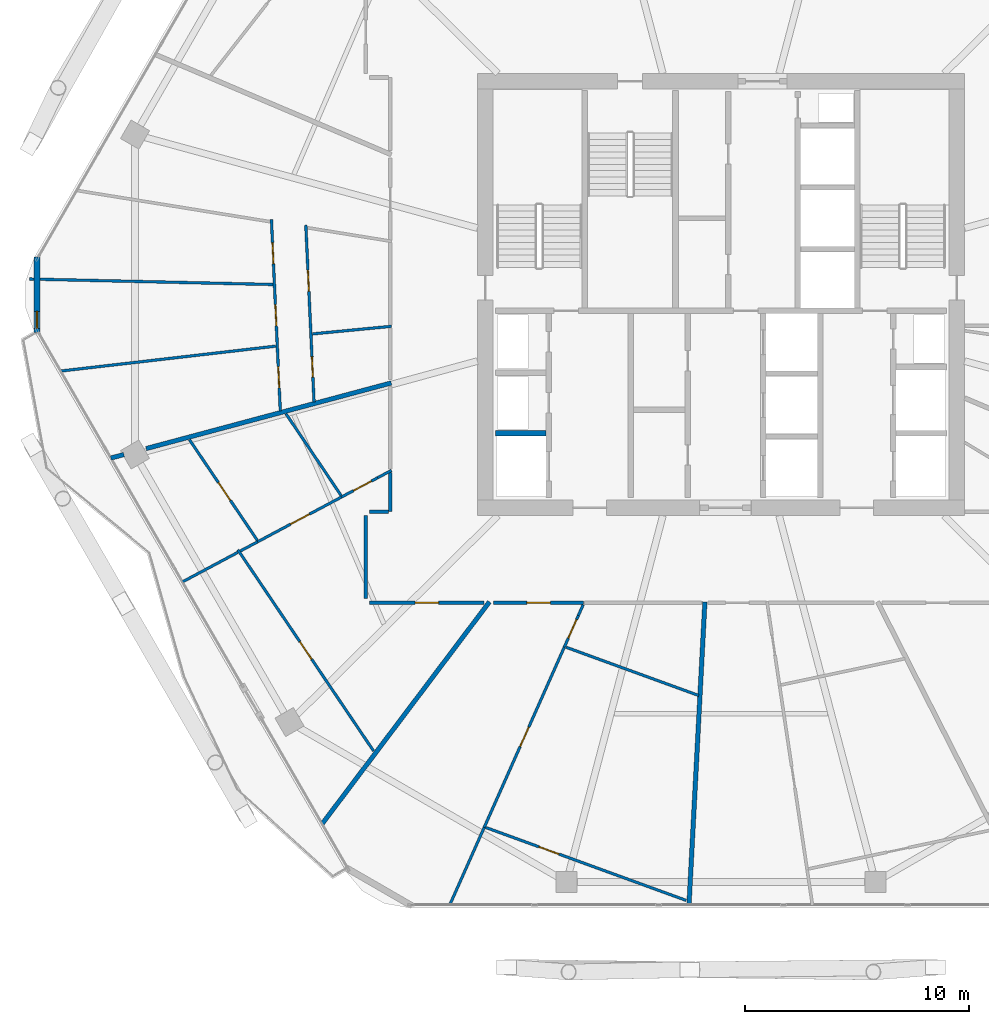
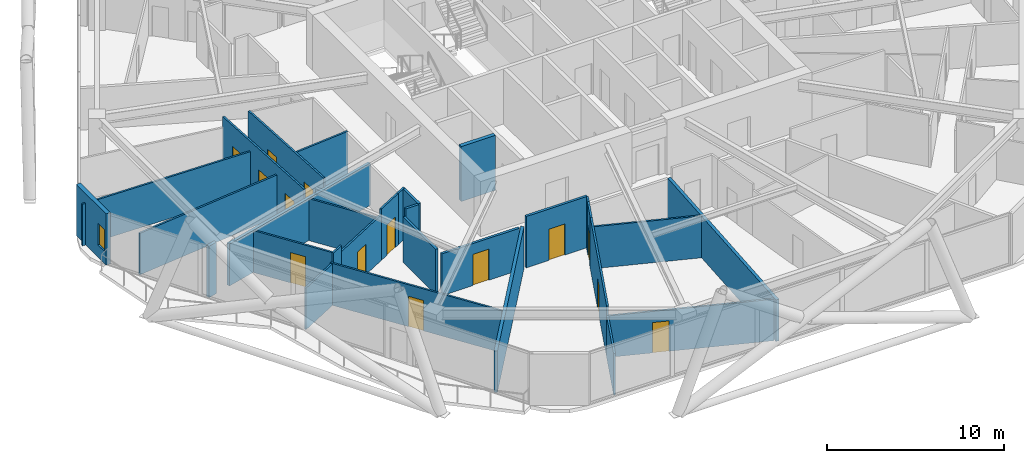
# One storey, part 21 of 29: 30 walls, 14 doors, 1 window, 15 openings.
"""IFC4 building model written with IfcOpenShell, lengths in metres."""

from ifc_helpers import new_model, si_unit, direction, frame, frame_2d, origin, place, context, subcontext, project, spatial, rectangle, extrude, material, layer, layer_set, type_object, element, fill, save


model = new_model("IFC4")

# Units and contexts
model_context = context("Model", 3, precision=1e-05, world=origin(), true_north=direction((0.0, 1.0)))
body_context = subcontext(model_context, "Body", "Model", "MODEL_VIEW")
ifc_project = project(units=[si_unit("LENGTHUNIT", "METRE"), si_unit("AREAUNIT", "SQUARE_METRE"), si_unit("VOLUMEUNIT", "CUBIC_METRE"), si_unit("PLANEANGLEUNIT", "RADIAN"), si_unit("MASSUNIT", "GRAM", prefix="KILO")], contexts=[model_context])

# Site, building, storey
site_placement = place(None, origin())
site = spatial("IfcSite", under=ifc_project, at=site_placement, CompositionType="ELEMENT")
building_placement = place(site_placement, origin())
building = spatial("IfcBuilding", under=site, at=building_placement, Name="Zuhravey Tower", CompositionType="ELEMENT")
storey_placement = place(building_placement, frame((0.0, 0.0, 192.199951171875)))
storey = spatial("IfcBuildingStorey", under=building, at=storey_placement, Name="L48", CompositionType="ELEMENT", Elevation=192.199951171875)

# Wall, opening, door
ifc_material_1 = material(Name="Gypsum fire-rated stud partition")
ifc_layer_1 = layer(ifc_material_1, 0.159912109375)
ifc_layer_set_1 = layer_set([ifc_layer_1], Name="Gypsum fire-rated stud partition")
wall_type_1 = type_object("IfcWallType", Name="Corridor Fire Partition 160", PredefinedType="PARTITIONING", material=ifc_layer_set_1)
wall_1_placement = place(storey_placement, frame((20.35009765625, 18.27001953125, 0.0), z_axis=(0.0, 0.0, 1.0), x_axis=(1.0, 0.0, 0.0)))
wall_1 = element("IfcWall", 1, at=wall_1_placement, inside=storey, type_object=wall_type_1, Name="L48 IW16 Partition 042", PredefinedType="PARTITIONING", context=body_context, shape_type="SweptSolid", body=[
    extrude(rectangle(XDim=5.08935546875, YDim=0.159912109375, at=frame_2d((2.544677734375, 0.0))), origin(), (0.0, 0.0, 1.0), 2.900146484375),
])
opening_1_placement = place(wall_1_placement, frame((2.019775390625, 0.0, 0.0)))
opening_1 = element("IfcOpeningElement", 2, at=opening_1_placement, cuts=wall_1, Name="Opening APD1", PredefinedType="OPENING", context=body_context, shape_type="SweptSolid", body=[
    extrude(rectangle(XDim=1.050048828125, YDim=2.14990234375, at=frame_2d((0.52490234375, 1.074951171875))), frame((0.0, 0.092041015625, 0.0), z_axis=(0.0, -1.0, 0.0), x_axis=(1.0, 0.0, 0.0)), (0.0, 0.0, 1.0), 0.183837890625),
])
ifc_material_2 = material(Name="Solid-core oak fire-rated leaf")
door_type_1 = type_object("IfcDoorType", Name="Apartment Entrance Fire Door 1050x2150", OperationType="NOTDEFINED", PredefinedType="DOOR", material=ifc_material_2)
door_1_placement = place(opening_1_placement, frame((1.050048828125, 0.0, 0.0), z_axis=(0.0, 0.0, 1.0), x_axis=(-1.0, 0.0, 0.0)))
door_1 = element("IfcDoor", 3, at=door_1_placement, inside=storey, type_object=door_type_1, Name="L48 Door 042.1", OperationType="SINGLE_SWING_LEFT", OverallHeight=2.14990234375, OverallWidth=1.050048828125, PredefinedType="DOOR", context=body_context, shape_type="SweptSolid", body=[
    extrude(rectangle(XDim=1.050048828125, YDim=2.14990234375, at=frame_2d((0.52490234375, 1.074951171875))), frame((0.0, 0.02490234375, 0.0), z_axis=(0.0, -1.0, 0.0), x_axis=(1.0, 0.0, 0.0)), (0.0, 0.0, 1.0), 0.050048828125),
])
fill(opening_1, door_1)

wall_2_placement = place(storey_placement, frame((25.865234375, 18.27001953125, 0.0), z_axis=(0.0, 0.0, 1.0), x_axis=(1.0, 0.0, 0.0)))
wall_2 = element("IfcWall", 4, at=wall_2_placement, inside=storey, type_object=wall_type_1, Name="L48 IW16 Partition 046", PredefinedType="PARTITIONING", context=body_context, shape_type="SweptSolid", body=[
    extrude(rectangle(XDim=4.011474609375, YDim=0.159912109375, at=frame_2d((2.005859375, 0.0))), origin(), (0.0, 0.0, 1.0), 3.550048828125),
])
opening_2_placement = place(wall_2_placement, frame((1.480712890625, 0.0, 0.0)))
opening_2 = element("IfcOpeningElement", 5, at=opening_2_placement, cuts=wall_2, Name="Opening APD1", PredefinedType="OPENING", context=body_context, shape_type="SweptSolid", body=[
    extrude(rectangle(XDim=1.050048828125, YDim=2.14990234375, at=frame_2d((0.52490234375, 1.074951171875))), frame((0.0, 0.092041015625, 0.0), z_axis=(0.0, -1.0, 0.0), x_axis=(1.0, 0.0, 0.0)), (0.0, 0.0, 1.0), 0.183837890625),
])
door_2_placement = place(opening_2_placement, frame((1.050048828125, 0.0, 0.0), z_axis=(0.0, 0.0, 1.0), x_axis=(-1.0, 0.0, 0.0)))
door_2 = element("IfcDoor", 6, at=door_2_placement, inside=storey, type_object=door_type_1, Name="L48 Door 046.1", OperationType="SINGLE_SWING_LEFT", OverallHeight=2.14990234375, OverallWidth=1.050048828125, PredefinedType="DOOR", context=body_context, shape_type="SweptSolid", body=[
    extrude(rectangle(XDim=1.050048828125, YDim=2.14990234375, at=frame_2d((0.52490234375, 1.074951171875))), frame((0.0, 0.02490234375, 0.0), z_axis=(0.0, -1.0, 0.0), x_axis=(1.0, 0.0, 0.0)), (0.0, 0.0, 1.0), 0.050048828125),
])
fill(opening_2, door_2)

# Walls
wall_3_placement = place(storey_placement, frame((20.169921875, 22.14990234375, 0.0), z_axis=(0.0, 0.0, 1.0), x_axis=(0.0, -1.0, 0.0)))
element("IfcWall", 7, at=wall_3_placement, inside=storey, type_object=wall_type_1, Name="L48 IW16 Partition 138", PredefinedType="PARTITIONING", context=body_context, shape_type="SweptSolid", body=[
    extrude(rectangle(XDim=3.699951171875, YDim=0.159912109375, at=frame_2d((1.85009765625, 0.0))), origin(), (0.0, 0.0, 1.0), 3.150146484375),
])
wall_4_placement = place(storey_placement, frame((21.27001953125, 24.064453125, 0.0), z_axis=(0.0, 0.0, 1.0), x_axis=(0.0, -1.0, 0.0)))
element("IfcWall", 8, at=wall_4_placement, inside=storey, type_object=wall_type_1, Name="L48 IW16 Partition 139", PredefinedType="PARTITIONING", context=body_context, shape_type="SweptSolid", body=[
    extrude(rectangle(XDim=1.734375, YDim=0.159912109375, at=frame_2d((0.8671875, 0.0))), origin(), (0.0, 0.0, 1.0), 3.550048828125),
])
wall_5_placement = place(storey_placement, frame((21.181884765625, 22.330078125, 0.0), z_axis=(0.0, 0.0, 1.0), x_axis=(-1.0, 0.0, 0.0)))
element("IfcWall", 9, at=wall_5_placement, inside=storey, type_object=wall_type_1, Name="L48 IW16 Partition 140", PredefinedType="PARTITIONING", context=body_context, shape_type="SweptSolid", body=[
    extrude(rectangle(XDim=0.831787109375, YDim=0.159912109375, at=frame_2d((0.416015625, 0.0))), origin(), (0.0, 0.0, 1.0), 3.550048828125),
])

# Wall, opening, window
ifc_material_3 = material(Name="Precast concrete C40/50", Category="concrete")
ifc_layer_2 = layer(ifc_material_3, 0.280029296875)
ifc_layer_set_2 = layer_set([ifc_layer_2], Name="Precast concrete C40/50")
wall_type_2 = type_object("IfcWallType", Name="Crown Architectural Wall 280", PredefinedType="SOLIDWALL", material=ifc_layer_set_2)
wall_6_placement = place(storey_placement, frame((5.5283203125, 30.3173828125, 0.0), z_axis=(0.0, 0.0, 1.0), x_axis=(0.0, 1.0, 0.0)))
wall_6 = element("IfcWall", 10, at=wall_6_placement, inside=storey, type_object=wall_type_2, Name="L48 Rounded Corner Closure Wall EW28-06", PredefinedType="SOLIDWALL", context=body_context, shape_type="SweptSolid", body=[
    extrude(rectangle(XDim=3.365234375, YDim=0.280029296875, at=frame_2d((1.6826171875, 0.0))), origin(), (0.0, 0.0, 1.0), 3.550048828125),
])
opening_3_placement = place(wall_6_placement, frame((0.17919921875, 0.0, 0.85009765625)))
opening_3 = element("IfcOpeningElement", 11, at=opening_3_placement, cuts=wall_6, Name="Opening WN5", PredefinedType="OPENING", context=body_context, shape_type="SweptSolid", body=[
    extrude(rectangle(XDim=0.75, YDim=1.5, at=frame_2d((0.375, 0.75))), frame((0.0, 0.152099609375, 0.0), z_axis=(0.0, -1.0, 0.0), x_axis=(1.0, 0.0, 0.0)), (0.0, 0.0, 1.0), 0.303955078125),
])
ifc_material_4 = material(Name="Thermally broken aluminium and triple low-E glass", Category="aluminium")
window_type = type_object("IfcWindowType", Name="Residential Corner Casement Window 750x1500", PartitioningType="SINGLE_PANEL", PredefinedType="WINDOW", material=ifc_material_4)
window_placement = place(opening_3_placement, origin())
window = element("IfcWindow", 12, at=window_placement, inside=storey, type_object=window_type, Name="L48 Corner Casement Window WN5-06.1", OverallHeight=1.5, OverallWidth=0.75, PartitioningType="SINGLE_PANEL", PredefinedType="WINDOW", context=body_context, shape_type="SweptSolid", body=[
    extrude(rectangle(XDim=0.75, YDim=1.5, at=frame_2d((0.375, 0.75))), frame((0.0, 0.030029296875, 0.0), z_axis=(0.0, -1.0, 0.0), x_axis=(1.0, 0.0, 0.0)), (0.0, 0.0, 1.0), 0.06005859375),
])
fill(opening_3, window)

# Walls
ifc_material_5 = material(Name="Concrete C50/60", Category="concrete")
ifc_layer_3 = layer(ifc_material_5, 0.25)
ifc_layer_set_3 = layer_set([ifc_layer_3], Name="Concrete C50/60")
wall_type_3 = type_object("IfcWallType", Name="Firefighting Shaft & Stair Wall 250", PredefinedType="SOLIDWALL", material=ifc_layer_set_3)
wall_7_placement = place(storey_placement, frame((25.949951171875, 25.824951171875, 0.0), z_axis=(0.0, 0.0, 1.0), x_axis=(1.0, 0.0, 0.0)))
element("IfcWall", 13, at=wall_7_placement, inside=storey, type_object=wall_type_3, Name="L48 FW25 Shaft Wall 009", PredefinedType="SOLIDWALL", context=body_context, shape_type="SweptSolid", body=[
    extrude(rectangle(XDim=2.25, YDim=0.25, at=frame_2d((1.125, 0.0))), origin(), (0.0, 0.0, 1.0), 3.800048828125),
])
ifc_material_6 = material(Name="Gypsum double-stud party assembly")
ifc_layer_4 = layer(ifc_material_6, 0.199951171875)
ifc_layer_set_4 = layer_set([ifc_layer_4], Name="Gypsum double-stud party assembly")
wall_type_4 = type_object("IfcWallType", Name="Inter-Tenancy Party Wall 200", PredefinedType="PARTITIONING", material=ifc_layer_set_4)
wall_8_placement = place(storey_placement, frame((21.31005859375, 28.063720703125, 0.0), z_axis=(0.0, 0.0, 1.0), x_axis=(-0.965930030449, -0.258803354456, 0.0)))
element("IfcWall", 14, at=wall_8_placement, inside=storey, type_object=wall_type_4, Name="L48 IW20 Partition 098", PredefinedType="PARTITIONING", context=body_context, shape_type="SweptSolid", body=[
    extrude(rectangle(XDim=11.307861328125, YDim=0.199951171875, at=frame_2d((5.65380859375, 0.0))), origin(), (0.0, 0.0, 1.0), 2.900146484375),
])
wall_9_placement = place(storey_placement, frame((9.3974609375, 24.871826171875, 0.0), z_axis=(0.0, 0.0, 1.0), x_axis=(-0.965944425699, -0.258749621182, 0.0)))
element("IfcWall", 15, at=wall_9_placement, inside=storey, type_object=wall_type_4, Name="L48 IW20 Partition 099", PredefinedType="PARTITIONING", context=body_context, shape_type="SweptSolid", body=[
    extrude(rectangle(XDim=0.60107421875, YDim=0.199951171875, at=frame_2d((0.300537109375, 0.0))), origin(), (0.0, 0.0, 1.0), 3.550048828125),
])
wall_10_placement = place(storey_placement, frame((25.683837890625, 18.31005859375, 0.0), z_axis=(0.0, 0.0, 1.0), x_axis=(-0.601811441108, -0.798638209299, 0.0)))
element("IfcWall", 16, at=wall_10_placement, inside=storey, type_object=wall_type_4, Name="L48 IW20 Partition 104", PredefinedType="PARTITIONING", context=body_context, shape_type="SweptSolid", body=[
    extrude(rectangle(XDim=12.388916015625, YDim=0.199951171875, at=frame_2d((6.1943359375, 0.0))), origin(), (0.0, 0.0, 1.0), 2.8701171875),
])
wall_11_placement = place(storey_placement, frame((35.282470703125, 18.31005859375, 0.0), z_axis=(0.0, 0.0, 1.0), x_axis=(-0.052327430458, -0.998629981536, 0.0)))
element("IfcWall", 17, at=wall_11_placement, inside=storey, type_object=wall_type_4, Name="L48 IW20 Partition 108", PredefinedType="PARTITIONING", context=body_context, shape_type="SweptSolid", body=[
    extrude(rectangle(XDim=13.51171875, YDim=0.199951171875, at=frame_2d((6.755859375, 0.0))), origin(), (0.0, 0.0, 1.0), 2.8701171875),
])

# Wall, openings, doors
ifc_material_7 = material(Name="Gypsum metal-stud partition")
ifc_layer_5 = layer(ifc_material_7, 0.1201171875)
ifc_layer_set_5 = layer_set([ifc_layer_5], Name="Gypsum metal-stud partition")
wall_type_5 = type_object("IfcWallType", Name="Unit Internal Partition 120", PredefinedType="PARTITIONING", material=ifc_layer_set_5)
wall_12_placement = place(storey_placement, frame((17.502685546875, 35.090576171875, 0.0), z_axis=(0.0, 0.0, 1.0), x_axis=(0.046406836397, -0.998922622397, 0.0)))
wall_12 = element("IfcWall", 18, at=wall_12_placement, inside=storey, type_object=wall_type_5, Name="L48 IW12 Partition 035", PredefinedType="PARTITIONING", context=body_context, shape_type="SweptSolid", body=[
    extrude(rectangle(XDim=7.891357421875, YDim=0.1201171875, at=frame_2d((3.94580078125, 0.0))), origin(), (0.0, 0.0, 1.0), 3.550048828125),
])
opening_4_placement = place(wall_12_placement, frame((2.00390625, 0.0, 0.0)))
opening_4 = element("IfcOpeningElement", 19, at=opening_4_placement, cuts=wall_12, Name="Opening IND1", PredefinedType="OPENING", context=body_context, shape_type="SweptSolid", body=[
    extrude(rectangle(XDim=0.949951171875, YDim=2.10009765625, at=frame_2d((0.47509765625, 1.050048828125))), frame((0.0, 0.072021484375, 0.0), z_axis=(0.0, -1.0, 0.0), x_axis=(1.0, 0.0, 0.0)), (0.0, 0.0, 1.0), 0.14404296875),
])
opening_5_placement = place(wall_12_placement, frame((5.872314453125, 0.0, 0.0)))
opening_5 = element("IfcOpeningElement", 20, at=opening_5_placement, cuts=wall_12, Name="Opening WCD1", PredefinedType="OPENING", context=body_context, shape_type="SweptSolid", body=[
    extrude(rectangle(XDim=0.89990234375, YDim=2.10009765625, at=frame_2d((0.449951171875, 1.050048828125))), frame((0.0, 0.072021484375, 0.0), z_axis=(0.0, -1.0, 0.0), x_axis=(1.0, 0.0, 0.0)), (0.0, 0.0, 1.0), 0.14404296875),
])
ifc_material_8 = material(Name="Moisture-resistant timber leaf", Category="wood")
door_type_2 = type_object("IfcDoorType", Name="Bathroom & WC Internal Door 900x2100", OperationType="NOTDEFINED", PredefinedType="DOOR", material=ifc_material_8)
door_3_placement = place(opening_5_placement, origin())
door_3 = element("IfcDoor", 21, at=door_3_placement, inside=storey, type_object=door_type_2, Name="Apartment L48-05 Bathroom Door", OperationType="SINGLE_SWING_RIGHT", OverallHeight=2.10009765625, OverallWidth=0.89990234375, PredefinedType="DOOR", context=body_context, shape_type="SweptSolid", body=[
    extrude(rectangle(XDim=0.89990234375, YDim=2.10009765625, at=frame_2d((0.449951171875, 1.050048828125))), frame((0.0, 0.02490234375, 0.0), z_axis=(0.0, -1.0, 0.0), x_axis=(1.0, 0.0, 0.0)), (0.0, 0.0, 1.0), 0.050048828125),
])
fill(opening_5, door_3)
ifc_material_9 = material(Name="Painted engineered timber leaf", Category="wood")
door_type_3 = type_object("IfcDoorType", Name="Internal Room & Bedroom Door 950x2100", OperationType="NOTDEFINED", PredefinedType="DOOR", material=ifc_material_9)
door_4_placement = place(opening_4_placement, origin())
door_4 = element("IfcDoor", 22, at=door_4_placement, inside=storey, type_object=door_type_3, Name="Apartment L48-05 Kitchen Door", OperationType="SINGLE_SWING_LEFT", OverallHeight=2.10009765625, OverallWidth=0.949951171875, PredefinedType="DOOR", context=body_context, shape_type="SweptSolid", body=[
    extrude(rectangle(XDim=0.949951171875, YDim=2.10009765625, at=frame_2d((0.47509765625, 1.050048828125))), frame((0.0, 0.02490234375, 0.0), z_axis=(0.0, -1.0, 0.0), x_axis=(1.0, 0.0, 0.0)), (0.0, 0.0, 1.0), 0.050048828125),
])
fill(opening_4, door_4)

wall_13_placement = place(storey_placement, frame((15.9697265625, 35.33837890625, 0.0), z_axis=(0.0, 0.0, 1.0), x_axis=(0.046402278603, -0.998922834127, 0.0)))
wall_13 = element("IfcWall", 23, at=wall_13_placement, inside=storey, type_object=wall_type_5, Name="L48 IW12 Partition 036", PredefinedType="PARTITIONING", context=body_context, shape_type="SweptSolid", body=[
    extrude(rectangle(XDim=8.52880859375, YDim=0.1201171875, at=frame_2d((4.264404296875, 0.0))), origin(), (0.0, 0.0, 1.0), 3.550048828125),
])
opening_6_placement = place(wall_13_placement, frame((1.022216796875, 0.0, 0.0)))
opening_6 = element("IfcOpeningElement", 24, at=opening_6_placement, cuts=wall_13, Name="Opening IND1", PredefinedType="OPENING", context=body_context, shape_type="SweptSolid", body=[
    extrude(rectangle(XDim=0.949951171875, YDim=2.10009765625, at=frame_2d((0.47509765625, 1.050048828125))), frame((0.0, 0.072021484375, 0.0), z_axis=(0.0, -1.0, 0.0), x_axis=(1.0, 0.0, 0.0)), (0.0, 0.0, 1.0), 0.14404296875),
])
opening_7_placement = place(wall_13_placement, frame((3.789306640625, 0.0, 0.0)))
opening_7 = element("IfcOpeningElement", 25, at=opening_7_placement, cuts=wall_13, Name="Opening IND1", PredefinedType="OPENING", context=body_context, shape_type="SweptSolid", body=[
    extrude(rectangle(XDim=0.949951171875, YDim=2.10009765625, at=frame_2d((0.47509765625, 1.050048828125))), frame((0.0, 0.072021484375, 0.0), z_axis=(0.0, -1.0, 0.0), x_axis=(1.0, 0.0, 0.0)), (0.0, 0.0, 1.0), 0.14404296875),
])
opening_8_placement = place(wall_13_placement, frame((6.556396484375, 0.0, 0.0)))
opening_8 = element("IfcOpeningElement", 26, at=opening_8_placement, cuts=wall_13, Name="Opening IND1", PredefinedType="OPENING", context=body_context, shape_type="SweptSolid", body=[
    extrude(rectangle(XDim=0.949951171875, YDim=2.10009765625, at=frame_2d((0.47509765625, 1.050048828125))), frame((0.0, 0.072021484375, 0.0), z_axis=(0.0, -1.0, 0.0), x_axis=(1.0, 0.0, 0.0)), (0.0, 0.0, 1.0), 0.14404296875),
])
door_5_placement = place(opening_6_placement, frame((0.949951171875, 0.0, 0.0), z_axis=(0.0, 0.0, 1.0), x_axis=(-1.0, 0.0, 0.0)))
door_5 = element("IfcDoor", 27, at=door_5_placement, inside=storey, type_object=door_type_3, Name="Apartment L48-05 Bedroom 1 Door", OperationType="SINGLE_SWING_LEFT", OverallHeight=2.10009765625, OverallWidth=0.949951171875, PredefinedType="DOOR", context=body_context, shape_type="SweptSolid", body=[
    extrude(rectangle(XDim=0.949951171875, YDim=2.10009765625, at=frame_2d((0.47509765625, 1.050048828125))), frame((0.0, 0.02490234375, 0.0), z_axis=(0.0, -1.0, 0.0), x_axis=(1.0, 0.0, 0.0)), (0.0, 0.0, 1.0), 0.050048828125),
])
fill(opening_6, door_5)
door_6_placement = place(opening_7_placement, frame((0.949951171875, 0.0, 0.0), z_axis=(0.0, 0.0, 1.0), x_axis=(-1.0, 0.0, 0.0)))
door_6 = element("IfcDoor", 28, at=door_6_placement, inside=storey, type_object=door_type_3, Name="Apartment L48-05 Bedroom 2 Door", OperationType="SINGLE_SWING_RIGHT", OverallHeight=2.10009765625, OverallWidth=0.949951171875, PredefinedType="DOOR", context=body_context, shape_type="SweptSolid", body=[
    extrude(rectangle(XDim=0.949951171875, YDim=2.10009765625, at=frame_2d((0.47509765625, 1.050048828125))), frame((0.0, 0.02490234375, 0.0), z_axis=(0.0, -1.0, 0.0), x_axis=(1.0, 0.0, 0.0)), (0.0, 0.0, 1.0), 0.050048828125),
])
fill(opening_7, door_6)
door_7_placement = place(opening_8_placement, frame((0.949951171875, 0.0, 0.0), z_axis=(0.0, 0.0, 1.0), x_axis=(-1.0, 0.0, 0.0)))
door_7 = element("IfcDoor", 29, at=door_7_placement, inside=storey, type_object=door_type_3, Name="Apartment L48-05 Bedroom 3 Door", OperationType="SINGLE_SWING_LEFT", OverallHeight=2.10009765625, OverallWidth=0.949951171875, PredefinedType="DOOR", context=body_context, shape_type="SweptSolid", body=[
    extrude(rectangle(XDim=0.949951171875, YDim=2.10009765625, at=frame_2d((0.47509765625, 1.050048828125))), frame((0.0, 0.02490234375, 0.0), z_axis=(0.0, -1.0, 0.0), x_axis=(1.0, 0.0, 0.0)), (0.0, 0.0, 1.0), 0.050048828125),
])
fill(opening_8, door_7)

# Wall, opening, door
wall_14_placement = place(storey_placement, frame((14.474609375, 20.62939453125, 0.0), z_axis=(0.0, 0.0, 1.0), x_axis=(0.559188221227, -0.829040730749, 0.0)))
wall_14 = element("IfcWall", 30, at=wall_14_placement, inside=storey, type_object=wall_type_5, Name="L48 IW12 Partition 038", PredefinedType="PARTITIONING", context=body_context, shape_type="SweptSolid", body=[
    extrude(rectangle(XDim=10.814208984375, YDim=0.1201171875, at=frame_2d((5.4072265625, 0.0))), origin(), (0.0, 0.0, 1.0), 2.900146484375),
])
opening_9_placement = place(wall_14_placement, frame((4.93212890625, 0.0, 0.0)))
opening_9 = element("IfcOpeningElement", 31, at=opening_9_placement, cuts=wall_14, Name="Opening IND1", PredefinedType="OPENING", context=body_context, shape_type="SweptSolid", body=[
    extrude(rectangle(XDim=0.949951171875, YDim=2.10009765625, at=frame_2d((0.47509765625, 1.050048828125))), frame((0.0, 0.072021484375, 0.0), z_axis=(0.0, -1.0, 0.0), x_axis=(1.0, 0.0, 0.0)), (0.0, 0.0, 1.0), 0.14404296875),
])
door_8_placement = place(opening_9_placement, frame((0.949951171875, 0.0, 0.0), z_axis=(0.0, 0.0, 1.0), x_axis=(-1.0, 0.0, 0.0)))
door_8 = element("IfcDoor", 32, at=door_8_placement, inside=storey, type_object=door_type_3, Name="Apartment L48-06 Family Study Door", OperationType="SINGLE_SWING_LEFT", OverallHeight=2.10009765625, OverallWidth=0.949951171875, PredefinedType="DOOR", context=body_context, shape_type="SweptSolid", body=[
    extrude(rectangle(XDim=0.949951171875, YDim=2.10009765625, at=frame_2d((0.47509765625, 1.050048828125))), frame((0.0, 0.02490234375, 0.0), z_axis=(0.0, -1.0, 0.0), x_axis=(1.0, 0.0, 0.0)), (0.0, 0.0, 1.0), 0.050048828125),
])
fill(opening_9, door_8)

wall_15_placement = place(storey_placement, frame((20.699951171875, 23.83740234375, 0.0), z_axis=(0.0, 0.0, 1.0), x_axis=(-0.882312188204, -0.47066463915, 0.0)))
wall_15 = element("IfcWall", 33, at=wall_15_placement, inside=storey, type_object=wall_type_5, Name="L48 IW12 Partition 039", PredefinedType="PARTITIONING", context=body_context, shape_type="SweptSolid", body=[
    extrude(rectangle(XDim=1.82421875, YDim=0.1201171875, at=frame_2d((0.912109375, 0.0))), origin(), (0.0, 0.0, 1.0), 3.550048828125),
])
opening_10_placement = place(wall_15_placement, frame((0.31640625, 0.0, 0.0)))
opening_10 = element("IfcOpeningElement", 34, at=opening_10_placement, cuts=wall_15, Name="Opening WCD1", PredefinedType="OPENING", context=body_context, shape_type="SweptSolid", body=[
    extrude(rectangle(XDim=0.89990234375, YDim=2.10009765625, at=frame_2d((0.449951171875, 1.050048828125))), frame((0.0, 0.072021484375, 0.0), z_axis=(0.0, -1.0, 0.0), x_axis=(1.0, 0.0, 0.0)), (0.0, 0.0, 1.0), 0.14404296875),
])
door_9_placement = place(opening_10_placement, frame((0.89990234375, 0.0, 0.0), z_axis=(0.0, 0.0, 1.0), x_axis=(-1.0, 0.0, 0.0)))
door_9 = element("IfcDoor", 35, at=door_9_placement, inside=storey, type_object=door_type_2, Name="Apartment L48-06 Bathroom Door", OperationType="SINGLE_SWING_RIGHT", OverallHeight=2.10009765625, OverallWidth=0.89990234375, PredefinedType="DOOR", context=body_context, shape_type="SweptSolid", body=[
    extrude(rectangle(XDim=0.89990234375, YDim=2.10009765625, at=frame_2d((0.449951171875, 1.050048828125))), frame((0.0, 0.02490234375, 0.0), z_axis=(0.0, -1.0, 0.0), x_axis=(1.0, 0.0, 0.0)), (0.0, 0.0, 1.0), 0.050048828125),
])
fill(opening_10, door_9)

wall_16_placement = place(storey_placement, frame((19.09033203125, 22.978515625, 0.0), z_axis=(0.0, 0.0, 1.0), x_axis=(-0.882290665846, -0.470704982936, 0.0)))
wall_16 = element("IfcWall", 36, at=wall_16_placement, inside=storey, type_object=wall_type_5, Name="L48 IW12 Partition 040", PredefinedType="PARTITIONING", context=body_context, shape_type="SweptSolid", body=[
    extrude(rectangle(XDim=4.23291015625, YDim=0.1201171875, at=frame_2d((2.116455078125, 0.0))), origin(), (0.0, 0.0, 1.0), 3.150146484375),
])
opening_11_placement = place(wall_16_placement, frame((1.616455078125, 0.0, 0.0)))
opening_11 = element("IfcOpeningElement", 37, at=opening_11_placement, cuts=wall_16, Name="Opening IND1", PredefinedType="OPENING", context=body_context, shape_type="SweptSolid", body=[
    extrude(rectangle(XDim=0.949951171875, YDim=2.10009765625, at=frame_2d((0.47509765625, 1.050048828125))), frame((0.0, 0.072021484375, 0.0), z_axis=(0.0, -1.0, 0.0), x_axis=(1.0, 0.0, 0.0)), (0.0, 0.0, 1.0), 0.14404296875),
])
door_10_placement = place(opening_11_placement, frame((0.949951171875, 0.0, 0.0), z_axis=(0.0, 0.0, 1.0), x_axis=(-1.0, 0.0, 0.0)))
door_10 = element("IfcDoor", 38, at=door_10_placement, inside=storey, type_object=door_type_3, Name="Apartment L48-06 Home Office Door", OperationType="SINGLE_SWING_LEFT", OverallHeight=2.10009765625, OverallWidth=0.949951171875, PredefinedType="DOOR", context=body_context, shape_type="SweptSolid", body=[
    extrude(rectangle(XDim=0.949951171875, YDim=2.10009765625, at=frame_2d((0.47509765625, 1.050048828125))), frame((0.0, 0.02490234375, 0.0), z_axis=(0.0, -1.0, 0.0), x_axis=(1.0, 0.0, 0.0)), (0.0, 0.0, 1.0), 0.050048828125),
])
fill(opening_11, door_10)

wall_17_placement = place(storey_placement, frame((12.31689453125, 25.535888671875, 0.0), z_axis=(0.0, 0.0, 1.0), x_axis=(0.559205201825, -0.829029277078, 0.0)))
wall_17 = element("IfcWall", 39, at=wall_17_placement, inside=storey, type_object=wall_type_5, Name="L48 IW12 Partition 041", PredefinedType="PARTITIONING", context=body_context, shape_type="SweptSolid", body=[
    extrude(rectangle(XDim=5.4052734375, YDim=0.1201171875, at=frame_2d((2.70263671875, 0.0))), origin(), (0.0, 0.0, 1.0), 2.900146484375),
])
opening_12_placement = place(wall_17_placement, frame((2.31201171875, 0.0, 0.0)))
opening_12 = element("IfcOpeningElement", 40, at=opening_12_placement, cuts=wall_17, Name="Opening IND1", PredefinedType="OPENING", context=body_context, shape_type="SweptSolid", body=[
    extrude(rectangle(XDim=0.949951171875, YDim=2.10009765625, at=frame_2d((0.47509765625, 1.050048828125))), frame((0.0, 0.072021484375, 0.0), z_axis=(0.0, -1.0, 0.0), x_axis=(1.0, 0.0, 0.0)), (0.0, 0.0, 1.0), 0.14404296875),
])
door_11_placement = place(opening_12_placement, frame((0.949951171875, 0.0, 0.0), z_axis=(0.0, 0.0, 1.0), x_axis=(-1.0, 0.0, 0.0)))
door_11 = element("IfcDoor", 41, at=door_11_placement, inside=storey, type_object=door_type_3, Name="Apartment L48-06 Bedroom 1 Door", OperationType="SINGLE_SWING_RIGHT", OverallHeight=2.10009765625, OverallWidth=0.949951171875, PredefinedType="DOOR", context=body_context, shape_type="SweptSolid", body=[
    extrude(rectangle(XDim=0.949951171875, YDim=2.10009765625, at=frame_2d((0.47509765625, 1.050048828125))), frame((0.0, 0.02490234375, 0.0), z_axis=(0.0, -1.0, 0.0), x_axis=(1.0, 0.0, 0.0)), (0.0, 0.0, 1.0), 0.050048828125),
])
fill(opening_12, door_11)

wall_18_placement = place(storey_placement, frame((29.645263671875, 17.699951171875, 0.0), z_axis=(0.0, 0.0, 1.0), x_axis=(-0.406138466053, -0.91381154862, 0.0)))
wall_18 = element("IfcWall", 42, at=wall_18_placement, inside=storey, type_object=wall_type_5, Name="L48 IW12 Partition 043", PredefinedType="PARTITIONING", context=body_context, shape_type="SweptSolid", body=[
    extrude(rectangle(XDim=1.543701171875, YDim=0.1201171875, at=frame_2d((0.77197265625, 0.0))), origin(), (0.0, 0.0, 1.0), 3.550048828125),
])
opening_13_placement = place(wall_18_placement, frame((0.199951171875, 0.0, 0.0)))
opening_13 = element("IfcOpeningElement", 43, at=opening_13_placement, cuts=wall_18, Name="Opening WCD1", PredefinedType="OPENING", context=body_context, shape_type="SweptSolid", body=[
    extrude(rectangle(XDim=0.89990234375, YDim=2.10009765625, at=frame_2d((0.449951171875, 1.050048828125))), frame((0.0, 0.072021484375, 0.0), z_axis=(0.0, -1.0, 0.0), x_axis=(1.0, 0.0, 0.0)), (0.0, 0.0, 1.0), 0.14404296875),
])
door_12_placement = place(opening_13_placement, origin())
door_12 = element("IfcDoor", 44, at=door_12_placement, inside=storey, type_object=door_type_2, Name="Apartment L48-07 Bathroom Door", OperationType="SINGLE_SWING_RIGHT", OverallHeight=2.10009765625, OverallWidth=0.89990234375, PredefinedType="DOOR", context=body_context, shape_type="SweptSolid", body=[
    extrude(rectangle(XDim=0.89990234375, YDim=2.10009765625, at=frame_2d((0.449951171875, 1.050048828125))), frame((0.0, 0.02490234375, 0.0), z_axis=(0.0, -1.0, 0.0), x_axis=(1.0, 0.0, 0.0)), (0.0, 0.0, 1.0), 0.050048828125),
])
fill(opening_13, door_12)

wall_19_placement = place(storey_placement, frame((29.018310546875, 16.289306640625, 0.0), z_axis=(0.0, 0.0, 1.0), x_axis=(-0.406112696121, -0.913823001489, 0.0)))
wall_19 = element("IfcWall", 45, at=wall_19_placement, inside=storey, type_object=wall_type_5, Name="L48 IW12 Partition 044", PredefinedType="PARTITIONING", context=body_context, shape_type="SweptSolid", body=[
    extrude(rectangle(XDim=8.790283203125, YDim=0.1201171875, at=frame_2d((4.39501953125, 0.0))), origin(), (0.0, 0.0, 1.0), 3.550048828125),
])
opening_14_placement = place(wall_19_placement, frame((3.89501953125, 0.0, 0.0)))
opening_14 = element("IfcOpeningElement", 46, at=opening_14_placement, cuts=wall_19, Name="Opening IND1", PredefinedType="OPENING", context=body_context, shape_type="SweptSolid", body=[
    extrude(rectangle(XDim=0.949951171875, YDim=2.10009765625, at=frame_2d((0.47509765625, 1.050048828125))), frame((0.0, 0.072021484375, 0.0), z_axis=(0.0, -1.0, 0.0), x_axis=(1.0, 0.0, 0.0)), (0.0, 0.0, 1.0), 0.14404296875),
])
door_13_placement = place(opening_14_placement, origin())
door_13 = element("IfcDoor", 47, at=door_13_placement, inside=storey, type_object=door_type_3, Name="Apartment L48-07 Home Office Door", OperationType="SINGLE_SWING_LEFT", OverallHeight=2.10009765625, OverallWidth=0.949951171875, PredefinedType="DOOR", context=body_context, shape_type="SweptSolid", body=[
    extrude(rectangle(XDim=0.949951171875, YDim=2.10009765625, at=frame_2d((0.47509765625, 1.050048828125))), frame((0.0, 0.02490234375, 0.0), z_axis=(0.0, -1.0, 0.0), x_axis=(1.0, 0.0, 0.0)), (0.0, 0.0, 1.0), 0.050048828125),
])
fill(opening_14, door_13)

wall_20_placement = place(storey_placement, frame((25.522705078125, 8.256103515625, 0.0), z_axis=(0.0, 0.0, 1.0), x_axis=(0.939699589425, -0.34200099654, 0.0)))
wall_20 = element("IfcWall", 48, at=wall_20_placement, inside=storey, type_object=wall_type_5, Name="L48 IW12 Partition 045", PredefinedType="PARTITIONING", context=body_context, shape_type="SweptSolid", body=[
    extrude(rectangle(XDim=9.499267578125, YDim=0.1201171875, at=frame_2d((4.74951171875, 0.0))), origin(), (0.0, 0.0, 1.0), 2.8701171875),
])
opening_15_placement = place(wall_20_placement, frame((2.51708984375, 0.0, 0.0)))
opening_15 = element("IfcOpeningElement", 49, at=opening_15_placement, cuts=wall_20, Name="Opening IND1", PredefinedType="OPENING", context=body_context, shape_type="SweptSolid", body=[
    extrude(rectangle(XDim=0.949951171875, YDim=2.10009765625, at=frame_2d((0.47509765625, 1.050048828125))), frame((0.0, 0.072021484375, 0.0), z_axis=(0.0, -1.0, 0.0), x_axis=(1.0, 0.0, 0.0)), (0.0, 0.0, 1.0), 0.14404296875),
])
door_14_placement = place(opening_15_placement, frame((0.949951171875, 0.0, 0.0), z_axis=(0.0, 0.0, 1.0), x_axis=(-1.0, 0.0, 0.0)))
door_14 = element("IfcDoor", 50, at=door_14_placement, inside=storey, type_object=door_type_3, Name="Apartment L48-07 Bedroom 1 Door", OperationType="SINGLE_SWING_RIGHT", OverallHeight=2.10009765625, OverallWidth=0.949951171875, PredefinedType="DOOR", context=body_context, shape_type="SweptSolid", body=[
    extrude(rectangle(XDim=0.949951171875, YDim=2.10009765625, at=frame_2d((0.47509765625, 1.050048828125))), frame((0.0, 0.02490234375, 0.0), z_axis=(0.0, -1.0, 0.0), x_axis=(1.0, 0.0, 0.0)), (0.0, 0.0, 1.0), 0.050048828125),
])
fill(opening_15, door_14)

# Walls
wall_21_placement = place(storey_placement, frame((21.320068359375, 30.586181640625, 0.0), z_axis=(0.0, 0.0, 1.0), x_axis=(-0.995389172266, -0.095918693358, 0.0)))
element("IfcWall", 51, at=wall_21_placement, inside=storey, type_object=wall_type_5, Name="L48 IW12 Partition 093", PredefinedType="PARTITIONING", context=body_context, shape_type="SweptSolid", body=[
    extrude(rectangle(XDim=3.54052734375, YDim=0.1201171875, at=frame_2d((1.770263671875, 0.0))), origin(), (0.0, 0.0, 1.0), 3.550048828125),
])
wall_22_placement = place(storey_placement, frame((16.035888671875, 32.448486328125, 0.0), z_axis=(0.0, 0.0, 1.0), x_axis=(-0.999747897374, 0.02245309993, 0.0)))
element("IfcWall", 52, at=wall_22_placement, inside=storey, type_object=wall_type_5, Name="L48 IW12 Partition 094", PredefinedType="PARTITIONING", context=body_context, shape_type="SweptSolid", body=[
    extrude(rectangle(XDim=10.8515625, YDim=0.1201171875, at=frame_2d((5.42578125, 0.0))), origin(), (0.0, 0.0, 1.0), 2.8701171875),
])
wall_23_placement = place(storey_placement, frame((16.16357421875, 29.702392578125, 0.0), z_axis=(0.0, 0.0, 1.0), x_axis=(-0.993362697123, -0.115024136443, 0.0)))
element("IfcWall", 53, at=wall_23_placement, inside=storey, type_object=wall_type_5, Name="L48 IW12 Partition 095", PredefinedType="PARTITIONING", context=body_context, shape_type="SweptSolid", body=[
    extrude(rectangle(XDim=9.65966796875, YDim=0.1201171875, at=frame_2d((4.829833984375, 0.0))), origin(), (0.0, 0.0, 1.0), 2.8701171875),
])
wall_24_placement = place(storey_placement, frame((21.31494140625, 24.16552734375, 0.0), z_axis=(0.0, 0.0, 1.0), x_axis=(-0.882275365563, -0.470733660705, 0.0)))
element("IfcWall", 54, at=wall_24_placement, inside=storey, type_object=wall_type_5, Name="L48 IW12 Partition 100", PredefinedType="PARTITIONING", context=body_context, shape_type="SweptSolid", body=[
    extrude(rectangle(XDim=0.697021484375, YDim=0.1201171875, at=frame_2d((0.3486328125, 0.0))), origin(), (0.0, 0.0, 1.0), 3.550048828125),
])
wall_25_placement = place(storey_placement, frame((15.355712890625, 20.986083984375, 0.0), z_axis=(0.0, 0.0, 1.0), x_axis=(-0.882282750181, -0.47071981978, 0.0)))
element("IfcWall", 55, at=wall_25_placement, inside=storey, type_object=wall_type_5, Name="L48 IW12 Partition 101", PredefinedType="PARTITIONING", context=body_context, shape_type="SweptSolid", body=[
    extrude(rectangle(XDim=0.86669921875, YDim=0.1201171875, at=frame_2d((0.433349609375, 0.0))), origin(), (0.0, 0.0, 1.0), 3.550048828125),
])
wall_26_placement = place(storey_placement, frame((14.470458984375, 20.513916015625, 0.0), z_axis=(0.0, 0.0, 1.0), x_axis=(-0.882297449113, -0.470692268141, 0.0)))
element("IfcWall", 56, at=wall_26_placement, inside=storey, type_object=wall_type_5, Name="L48 IW12 Partition 102", PredefinedType="PARTITIONING", context=body_context, shape_type="SweptSolid", body=[
    extrude(rectangle(XDim=2.801513671875, YDim=0.1201171875, at=frame_2d((1.40087890625, 0.0))), origin(), (0.0, 0.0, 1.0), 2.8701171875),
])
wall_27_placement = place(storey_placement, frame((16.614501953125, 26.69384765625, 0.0), z_axis=(0.0, 0.0, 1.0), x_axis=(0.559187802585, -0.829041013123, 0.0)))
element("IfcWall", 57, at=wall_27_placement, inside=storey, type_object=wall_type_5, Name="L48 IW12 Partition 103", PredefinedType="PARTITIONING", context=body_context, shape_type="SweptSolid", body=[
    extrude(rectangle(XDim=4.398681640625, YDim=0.1201171875, at=frame_2d((2.19921875, 0.0))), origin(), (0.0, 0.0, 1.0), 2.900146484375),
])
wall_28_placement = place(storey_placement, frame((29.859375, 18.181884765625, 0.0), z_axis=(0.0, 0.0, 1.0), x_axis=(-0.406009598867, -0.913868812045, 0.0)))
element("IfcWall", 58, at=wall_28_placement, inside=storey, type_object=wall_type_5, Name="L48 IW12 Partition 105", PredefinedType="PARTITIONING", context=body_context, shape_type="SweptSolid", body=[
    extrude(rectangle(XDim=0.52734375, YDim=0.1201171875, at=frame_2d((0.263671875, 0.0))), origin(), (0.0, 0.0, 1.0), 3.550048828125),
])
wall_29_placement = place(storey_placement, frame((25.44873046875, 8.256591796875, 0.0), z_axis=(0.0, 0.0, 1.0), x_axis=(-0.406156505526, -0.913803530864, 0.0)))
element("IfcWall", 59, at=wall_29_placement, inside=storey, type_object=wall_type_5, Name="L48 IW12 Partition 106", PredefinedType="PARTITIONING", context=body_context, shape_type="SweptSolid", body=[
    extrude(rectangle(XDim=3.76708984375, YDim=0.1201171875, at=frame_2d((1.883544921875, 0.0))), origin(), (0.0, 0.0, 1.0), 2.8701171875),
])
wall_30_placement = place(storey_placement, frame((29.092529296875, 16.2890625, 0.0), z_axis=(0.0, 0.0, 1.0), x_axis=(0.939683531228, -0.342045115647, 0.0)))
element("IfcWall", 60, at=wall_30_placement, inside=storey, type_object=wall_type_5, Name="L48 IW12 Partition 107", PredefinedType="PARTITIONING", context=body_context, shape_type="SweptSolid", body=[
    extrude(rectangle(XDim=6.294677734375, YDim=0.1201171875, at=frame_2d((3.1474609375, 0.0))), origin(), (0.0, 0.0, 1.0), 2.900146484375),
])

save(model, "model.ifc")
